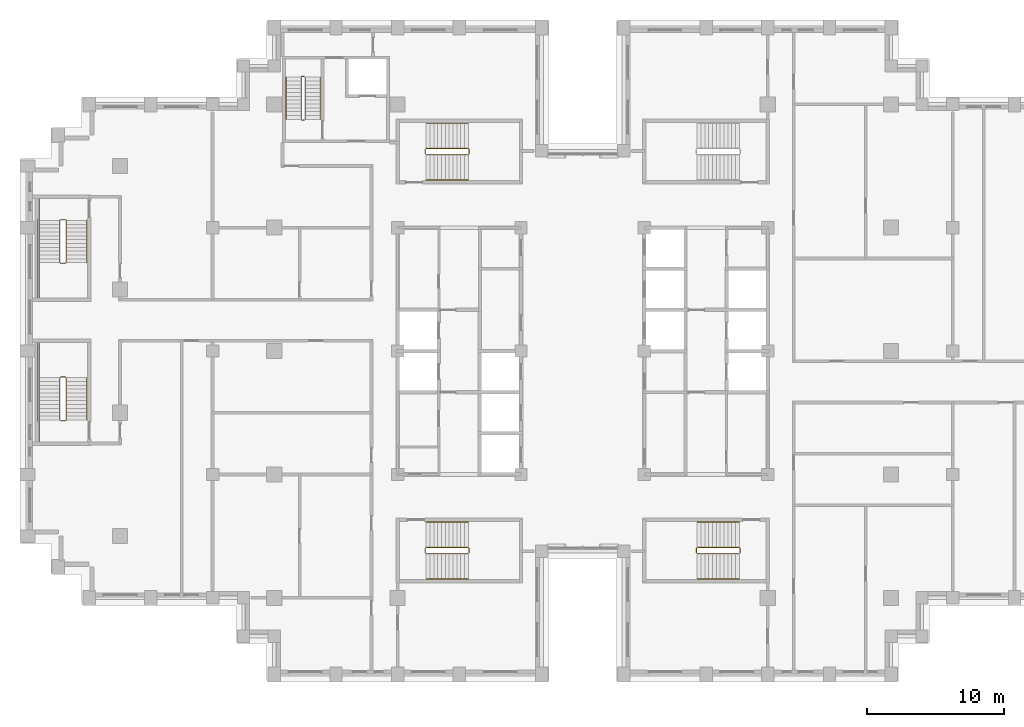
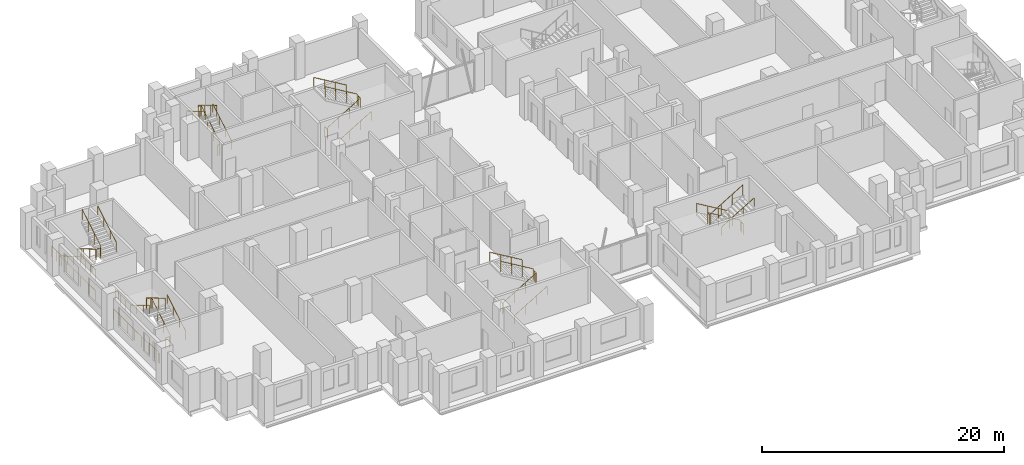
# One storey, part 15 of 16: 6 railings.
"""IFC4 building model written with IfcOpenShell, lengths in metres."""

from ifc_helpers import new_model, si_unit, direction, frame, origin, origin_2d, place, context, subcontext, project, spatial, circle, extrude, material, type_object, element, save


model = new_model("IFC4")

# Units and contexts
model_context = context("Model", 3, precision=1e-05, world=origin(), true_north=direction((0.0, 1.0)))
body_context = subcontext(model_context, "Body", "Model", "MODEL_VIEW")
ifc_project = project(units=[si_unit("LENGTHUNIT", "METRE"), si_unit("AREAUNIT", "SQUARE_METRE"), si_unit("VOLUMEUNIT", "CUBIC_METRE"), si_unit("PLANEANGLEUNIT", "RADIAN"), si_unit("MASSUNIT", "GRAM", prefix="KILO")], contexts=[model_context])

# Site, building, storey
site_placement = place(None, origin())
site = spatial("IfcSite", under=ifc_project, at=site_placement, CompositionType="ELEMENT")
building_placement = place(site_placement, origin())
building = spatial("IfcBuilding", under=site, at=building_placement, Name="Corbelhall Arena Tower", CompositionType="ELEMENT")
storey_placement = place(building_placement, frame((0.0, 0.0, 170.0)))
storey = spatial("IfcBuildingStorey", under=building, at=storey_placement, Name="L34", CompositionType="ELEMENT", Elevation=170.0)

# Railings
ifc_material = material(Name="Steel ASTM A500 Gr C", Category="steel")
railing_type = type_object("IfcRailingType", Name="IN-GD-1100", PredefinedType="GUARDRAIL", material=ifc_material)
railing_1_placement = place(storey_placement, frame((-11.425048828125, 14.324951171875, 0.166748046875)))
element("IfcRailing", 1, at=railing_1_placement, inside=storey, type_object=railing_type, Name="L34 ST1 stair guards and handrails", PredefinedType="GUARDRAIL", context=body_context, shape_type="SweptSolid", body=[
    extrude(circle(Radius=0.02392578125, at=origin_2d()), frame((0.0, 0.0, 1.076171875), z_axis=(0.859308565015, 0.0, 0.511457515432), x_axis=(0.0, 1.0, 0.0)), (0.0, 0.0, 1.0), 3.58447265625),
    extrude(circle(Radius=0.02392578125, at=origin_2d()), frame((3.130126953125, 0.050048828125, 2.9091796875), z_axis=(0.0, 1.0, 0.0), x_axis=(-1.0, 0.0, 0.0)), (0.0, 0.0, 1.0), 0.35009765625),
    extrude(circle(Radius=0.02392578125, at=origin_2d()), frame((3.080078125, 0.449951171875, 3.076171875), z_axis=(-0.859308565015, 0.0, 0.511457515432), x_axis=(0.0, -1.0, 0.0)), (0.0, 0.0, 1.0), 3.58447265625),
    extrude(circle(Radius=0.02392578125, at=origin_2d()), frame((-0.050048828125, 0.050048828125, 0.9091796875), z_axis=(0.0, 1.0, 0.0), x_axis=(-1.0, 0.0, 0.0)), (0.0, 0.0, 1.0), 0.35009765625),
    extrude(circle(Radius=0.02392578125, at=origin_2d()), frame((0.0, -1.849853515625, 0.8759765625), z_axis=(0.859308565015, 0.0, 0.511457515432), x_axis=(0.0, 1.0, 0.0)), (0.0, 0.0, 1.0), 3.58447265625),
    extrude(circle(Radius=0.02392578125, at=origin_2d()), frame((3.080078125, 2.300048828125, 2.8759765625), z_axis=(-0.859308565015, 0.0, 0.511457515432), x_axis=(0.0, -1.0, 0.0)), (0.0, 0.0, 1.0), 3.58447265625),
    extrude(circle(Radius=0.02099609375, at=origin_2d()), origin(), (0.0, 0.0, 1.0), 1.052001953125),
    extrude(circle(Radius=0.02099609375, at=origin_2d()), frame((1.026611328125, 0.0, 0.611083984375)), (0.0, 0.0, 1.0), 1.052001953125),
    extrude(circle(Radius=0.02099609375, at=origin_2d()), frame((2.053466796875, 0.0, 1.22216796875)), (0.0, 0.0, 1.0), 1.052001953125),
    extrude(circle(Radius=0.02099609375, at=origin_2d()), frame((3.080078125, 0.0, 1.833251953125)), (0.0, 0.0, 1.0), 1.052001953125),
    extrude(circle(Radius=0.02099609375, at=origin_2d()), frame((3.130126953125, 0.050048828125, 1.833251953125)), (0.0, 0.0, 1.0), 1.052001953125),
    extrude(circle(Radius=0.02099609375, at=origin_2d()), frame((3.130126953125, 0.400146484375, 1.833251953125)), (0.0, 0.0, 1.0), 1.052001953125),
    extrude(circle(Radius=0.02099609375, at=origin_2d()), frame((3.080078125, 0.449951171875, 2.0)), (0.0, 0.0, 1.0), 1.052001953125),
    extrude(circle(Radius=0.02099609375, at=origin_2d()), frame((2.053466796875, 0.449951171875, 2.611083984375)), (0.0, 0.0, 1.0), 1.052001953125),
    extrude(circle(Radius=0.02099609375, at=origin_2d()), frame((1.026611328125, 0.449951171875, 3.22216796875)), (0.0, 0.0, 1.0), 1.052001953125),
    extrude(circle(Radius=0.02099609375, at=origin_2d()), frame((0.0, 0.449951171875, 3.833251953125)), (0.0, 0.0, 1.0), 1.052001953125),
    extrude(circle(Radius=0.02099609375, at=origin_2d()), frame((-0.050048828125, 0.050048828125, -0.166748046875)), (0.0, 0.0, 1.0), 1.052001953125),
    extrude(circle(Radius=0.02099609375, at=origin_2d()), frame((-0.050048828125, 0.400146484375, -0.166748046875)), (0.0, 0.0, 1.0), 1.052001953125),
    extrude(circle(Radius=0.02099609375, at=origin_2d()), frame((0.0, -1.849853515625, 0.0)), (0.0, 0.0, 1.0), 0.851806640625),
    extrude(circle(Radius=0.02099609375, at=origin_2d()), frame((1.026611328125, -1.849853515625, 0.611083984375)), (0.0, 0.0, 1.0), 0.851806640625),
    extrude(circle(Radius=0.02099609375, at=origin_2d()), frame((2.053466796875, -1.849853515625, 1.22216796875)), (0.0, 0.0, 1.0), 0.851806640625),
    extrude(circle(Radius=0.02099609375, at=origin_2d()), frame((3.080078125, -1.849853515625, 1.833251953125)), (0.0, 0.0, 1.0), 0.851806640625),
    extrude(circle(Radius=0.02099609375, at=origin_2d()), frame((3.080078125, 2.300048828125, 2.0)), (0.0, 0.0, 1.0), 0.851806640625),
    extrude(circle(Radius=0.02099609375, at=origin_2d()), frame((2.053466796875, 2.300048828125, 2.611083984375)), (0.0, 0.0, 1.0), 0.851806640625),
    extrude(circle(Radius=0.02099609375, at=origin_2d()), frame((1.026611328125, 2.300048828125, 3.22216796875)), (0.0, 0.0, 1.0), 0.851806640625),
    extrude(circle(Radius=0.02099609375, at=origin_2d()), frame((0.0, 2.300048828125, 3.833251953125)), (0.0, 0.0, 1.0), 0.851806640625),
])
railing_2_placement = place(storey_placement, frame((-11.425048828125, -14.77490234375, 0.166748046875)))
element("IfcRailing", 2, at=railing_2_placement, inside=storey, type_object=railing_type, Name="L34 ST2 stair guards and handrails", PredefinedType="GUARDRAIL", context=body_context, shape_type="SweptSolid", body=[
    extrude(circle(Radius=0.02392578125, at=origin_2d()), frame((0.0, 0.0, 1.076171875), z_axis=(0.859308565015, 0.0, 0.511457515432), x_axis=(0.0, 1.0, 0.0)), (0.0, 0.0, 1.0), 3.58447265625),
    extrude(circle(Radius=0.02392578125, at=origin_2d()), frame((3.130126953125, 0.0498046875, 2.9091796875), z_axis=(0.0, 1.0, 0.0), x_axis=(-1.0, 0.0, 0.0)), (0.0, 0.0, 1.0), 0.35009765625),
    extrude(circle(Radius=0.02392578125, at=origin_2d()), frame((3.080078125, 0.449951171875, 3.076171875), z_axis=(-0.859308565015, 0.0, 0.511457515432), x_axis=(0.0, -1.0, 0.0)), (0.0, 0.0, 1.0), 3.58447265625),
    extrude(circle(Radius=0.02392578125, at=origin_2d()), frame((-0.050048828125, 0.0498046875, 0.9091796875), z_axis=(0.0, 1.0, 0.0), x_axis=(-1.0, 0.0, 0.0)), (0.0, 0.0, 1.0), 0.35009765625),
    extrude(circle(Radius=0.02392578125, at=origin_2d()), frame((0.0, -1.85009765625, 0.8759765625), z_axis=(0.859308565015, 0.0, 0.511457515432), x_axis=(0.0, 1.0, 0.0)), (0.0, 0.0, 1.0), 3.58447265625),
    extrude(circle(Radius=0.02392578125, at=origin_2d()), frame((3.080078125, 2.2998046875, 2.8759765625), z_axis=(-0.859308565015, 0.0, 0.511457515432), x_axis=(0.0, -1.0, 0.0)), (0.0, 0.0, 1.0), 3.58447265625),
    extrude(circle(Radius=0.02099609375, at=origin_2d()), origin(), (0.0, 0.0, 1.0), 1.052001953125),
    extrude(circle(Radius=0.02099609375, at=origin_2d()), frame((1.026611328125, 0.0, 0.611083984375)), (0.0, 0.0, 1.0), 1.052001953125),
    extrude(circle(Radius=0.02099609375, at=origin_2d()), frame((2.053466796875, 0.0, 1.22216796875)), (0.0, 0.0, 1.0), 1.052001953125),
    extrude(circle(Radius=0.02099609375, at=origin_2d()), frame((3.080078125, 0.0, 1.833251953125)), (0.0, 0.0, 1.0), 1.052001953125),
    extrude(circle(Radius=0.02099609375, at=origin_2d()), frame((3.130126953125, 0.0498046875, 1.833251953125)), (0.0, 0.0, 1.0), 1.052001953125),
    extrude(circle(Radius=0.02099609375, at=origin_2d()), frame((3.130126953125, 0.39990234375, 1.833251953125)), (0.0, 0.0, 1.0), 1.052001953125),
    extrude(circle(Radius=0.02099609375, at=origin_2d()), frame((3.080078125, 0.449951171875, 2.0)), (0.0, 0.0, 1.0), 1.052001953125),
    extrude(circle(Radius=0.02099609375, at=origin_2d()), frame((2.053466796875, 0.449951171875, 2.611083984375)), (0.0, 0.0, 1.0), 1.052001953125),
    extrude(circle(Radius=0.02099609375, at=origin_2d()), frame((1.026611328125, 0.449951171875, 3.22216796875)), (0.0, 0.0, 1.0), 1.052001953125),
    extrude(circle(Radius=0.02099609375, at=origin_2d()), frame((0.0, 0.449951171875, 3.833251953125)), (0.0, 0.0, 1.0), 1.052001953125),
    extrude(circle(Radius=0.02099609375, at=origin_2d()), frame((-0.050048828125, 0.0498046875, -0.166748046875)), (0.0, 0.0, 1.0), 1.052001953125),
    extrude(circle(Radius=0.02099609375, at=origin_2d()), frame((-0.050048828125, 0.39990234375, -0.166748046875)), (0.0, 0.0, 1.0), 1.052001953125),
    extrude(circle(Radius=0.02099609375, at=origin_2d()), frame((0.0, -1.85009765625, 0.0)), (0.0, 0.0, 1.0), 0.851806640625),
    extrude(circle(Radius=0.02099609375, at=origin_2d()), frame((1.026611328125, -1.85009765625, 0.611083984375)), (0.0, 0.0, 1.0), 0.851806640625),
    extrude(circle(Radius=0.02099609375, at=origin_2d()), frame((2.053466796875, -1.85009765625, 1.22216796875)), (0.0, 0.0, 1.0), 0.851806640625),
    extrude(circle(Radius=0.02099609375, at=origin_2d()), frame((3.080078125, -1.85009765625, 1.833251953125)), (0.0, 0.0, 1.0), 0.851806640625),
    extrude(circle(Radius=0.02099609375, at=origin_2d()), frame((3.080078125, 2.2998046875, 2.0)), (0.0, 0.0, 1.0), 0.851806640625),
    extrude(circle(Radius=0.02099609375, at=origin_2d()), frame((2.053466796875, 2.2998046875, 2.611083984375)), (0.0, 0.0, 1.0), 0.851806640625),
    extrude(circle(Radius=0.02099609375, at=origin_2d()), frame((1.026611328125, 2.2998046875, 3.22216796875)), (0.0, 0.0, 1.0), 0.851806640625),
    extrude(circle(Radius=0.02099609375, at=origin_2d()), frame((0.0, 2.2998046875, 3.833251953125)), (0.0, 0.0, 1.0), 0.851806640625),
])
railing_3_placement = place(storey_placement, frame((11.425048828125, -14.324951171875, 0.166748046875)))
element("IfcRailing", 3, at=railing_3_placement, inside=storey, type_object=railing_type, Name="L34 ST4 stair guards and handrails", PredefinedType="GUARDRAIL", context=body_context, shape_type="SweptSolid", body=[
    extrude(circle(Radius=0.02392578125, at=origin_2d()), frame((0.0, 0.0, 1.076171875), z_axis=(-0.859308565015, 0.0, 0.511457515432), x_axis=(0.0, -1.0, 0.0)), (0.0, 0.0, 1.0), 3.58447265625),
    extrude(circle(Radius=0.02392578125, at=origin_2d()), frame((-3.130126953125, -0.050048828125, 2.9091796875), z_axis=(0.0, -1.0, 0.0), x_axis=(1.0, 0.0, 0.0)), (0.0, 0.0, 1.0), 0.35009765625),
    extrude(circle(Radius=0.02392578125, at=origin_2d()), frame((-3.080078125, -0.449951171875, 3.076171875), z_axis=(0.859308565015, 0.0, 0.511457515432), x_axis=(0.0, 1.0, 0.0)), (0.0, 0.0, 1.0), 3.58447265625),
    extrude(circle(Radius=0.02392578125, at=origin_2d()), frame((0.050048828125, -0.050048828125, 0.9091796875), z_axis=(0.0, -1.0, 0.0), x_axis=(1.0, 0.0, 0.0)), (0.0, 0.0, 1.0), 0.35009765625),
    extrude(circle(Radius=0.02392578125, at=origin_2d()), frame((0.0, 1.849853515625, 0.8759765625), z_axis=(-0.859308565015, 0.0, 0.511457515432), x_axis=(0.0, -1.0, 0.0)), (0.0, 0.0, 1.0), 3.58447265625),
    extrude(circle(Radius=0.02392578125, at=origin_2d()), frame((-3.080078125, -2.300048828125, 2.8759765625), z_axis=(0.859308565015, 0.0, 0.511457515432), x_axis=(0.0, 1.0, 0.0)), (0.0, 0.0, 1.0), 3.58447265625),
    extrude(circle(Radius=0.02099609375, at=origin_2d()), origin(), (0.0, 0.0, 1.0), 1.052001953125),
    extrude(circle(Radius=0.02099609375, at=origin_2d()), frame((-1.026611328125, 0.0, 0.611083984375)), (0.0, 0.0, 1.0), 1.052001953125),
    extrude(circle(Radius=0.02099609375, at=origin_2d()), frame((-2.053466796875, 0.0, 1.22216796875)), (0.0, 0.0, 1.0), 1.052001953125),
    extrude(circle(Radius=0.02099609375, at=origin_2d()), frame((-3.080078125, 0.0, 1.833251953125)), (0.0, 0.0, 1.0), 1.052001953125),
    extrude(circle(Radius=0.02099609375, at=origin_2d()), frame((-3.130126953125, -0.050048828125, 1.833251953125)), (0.0, 0.0, 1.0), 1.052001953125),
    extrude(circle(Radius=0.02099609375, at=origin_2d()), frame((-3.130126953125, -0.400146484375, 1.833251953125)), (0.0, 0.0, 1.0), 1.052001953125),
    extrude(circle(Radius=0.02099609375, at=origin_2d()), frame((-3.080078125, -0.449951171875, 2.0)), (0.0, 0.0, 1.0), 1.052001953125),
    extrude(circle(Radius=0.02099609375, at=origin_2d()), frame((-2.053466796875, -0.449951171875, 2.611083984375)), (0.0, 0.0, 1.0), 1.052001953125),
    extrude(circle(Radius=0.02099609375, at=origin_2d()), frame((-1.026611328125, -0.449951171875, 3.22216796875)), (0.0, 0.0, 1.0), 1.052001953125),
    extrude(circle(Radius=0.02099609375, at=origin_2d()), frame((0.0, -0.449951171875, 3.833251953125)), (0.0, 0.0, 1.0), 1.052001953125),
    extrude(circle(Radius=0.02099609375, at=origin_2d()), frame((0.050048828125, -0.050048828125, -0.166748046875)), (0.0, 0.0, 1.0), 1.052001953125),
    extrude(circle(Radius=0.02099609375, at=origin_2d()), frame((0.050048828125, -0.400146484375, -0.166748046875)), (0.0, 0.0, 1.0), 1.052001953125),
    extrude(circle(Radius=0.02099609375, at=origin_2d()), frame((0.0, 1.849853515625, 0.0)), (0.0, 0.0, 1.0), 0.851806640625),
    extrude(circle(Radius=0.02099609375, at=origin_2d()), frame((-1.026611328125, 1.849853515625, 0.611083984375)), (0.0, 0.0, 1.0), 0.851806640625),
    extrude(circle(Radius=0.02099609375, at=origin_2d()), frame((-2.053466796875, 1.849853515625, 1.22216796875)), (0.0, 0.0, 1.0), 0.851806640625),
    extrude(circle(Radius=0.02099609375, at=origin_2d()), frame((-3.080078125, 1.849853515625, 1.833251953125)), (0.0, 0.0, 1.0), 0.851806640625),
    extrude(circle(Radius=0.02099609375, at=origin_2d()), frame((-3.080078125, -2.300048828125, 2.0)), (0.0, 0.0, 1.0), 0.851806640625),
    extrude(circle(Radius=0.02099609375, at=origin_2d()), frame((-2.053466796875, -2.300048828125, 2.611083984375)), (0.0, 0.0, 1.0), 0.851806640625),
    extrude(circle(Radius=0.02099609375, at=origin_2d()), frame((-1.026611328125, -2.300048828125, 3.22216796875)), (0.0, 0.0, 1.0), 0.851806640625),
    extrude(circle(Radius=0.02099609375, at=origin_2d()), frame((0.0, -2.300048828125, 3.833251953125)), (0.0, 0.0, 1.0), 0.851806640625),
])
railing_4_placement = place(storey_placement, frame((-38.14990234375, 9.52490234375, 0.166748046875)))
element("IfcRailing", 4, at=railing_4_placement, inside=storey, type_object=railing_type, Name="L34 SC1 stair guards and handrails", PredefinedType="GUARDRAIL", context=body_context, shape_type="SweptSolid", body=[
    extrude(circle(Radius=0.02392578125, at=origin_2d()), frame((0.0, 0.0, 1.076171875), z_axis=(0.0, -0.859290745958, 0.51148745235), x_axis=(1.0, 0.0, 0.0)), (0.0, 0.0, 1.0), 3.584228515625),
    extrude(circle(Radius=0.02392578125, at=origin_2d()), frame((0.0498046875, -3.1298828125, 2.9091796875), z_axis=(1.0, 0.0, 0.0), x_axis=(0.0, 1.0, 0.0)), (0.0, 0.0, 1.0), 0.375),
    extrude(circle(Radius=0.02392578125, at=origin_2d()), frame((-1.5, -3.079833984375, 2.9091796875), z_axis=(0.0, -1.0, 0.0), x_axis=(1.0, 0.0, 0.0)), (0.0, 0.0, 1.0), 2.570068359375),
    extrude(circle(Radius=0.02392578125, at=origin_2d()), frame((0.474853515625, -3.079833984375, 3.076171875), z_axis=(0.0, 0.859290745958, 0.51148745235), x_axis=(-1.0, 0.0, 0.0)), (0.0, 0.0, 1.0), 3.584228515625),
    extrude(circle(Radius=0.02392578125, at=origin_2d()), frame((0.0498046875, 0.050048828125, 0.9091796875), z_axis=(1.0, 0.0, 0.0), x_axis=(0.0, 1.0, 0.0)), (0.0, 0.0, 1.0), 0.375),
    extrude(circle(Radius=0.02392578125, at=origin_2d()), frame((-1.5, 1.60009765625, 0.9091796875), z_axis=(0.0, -1.0, 0.0), x_axis=(1.0, 0.0, 0.0)), (0.0, 0.0, 1.0), 1.60009765625),
    extrude(circle(Radius=0.02392578125, at=origin_2d()), frame((-1.60009765625, 0.10009765625, 0.9091796875), z_axis=(0.0, -1.0, 0.0), x_axis=(1.0, 0.0, 0.0)), (0.0, 0.0, 1.0), 5.85009765625),
    extrude(circle(Radius=0.02392578125, at=origin_2d()), frame((-1.5, 0.0, 0.8759765625), z_axis=(0.0, -0.859290745958, 0.51148745235), x_axis=(1.0, 0.0, 0.0)), (0.0, 0.0, 1.0), 3.584228515625),
    extrude(circle(Radius=0.02392578125, at=origin_2d()), frame((1.974853515625, -3.079833984375, 2.8759765625), z_axis=(0.0, 0.859290745958, 0.51148745235), x_axis=(-1.0, 0.0, 0.0)), (0.0, 0.0, 1.0), 3.584228515625),
    extrude(circle(Radius=0.02099609375, at=origin_2d()), origin(), (0.0, 0.0, 1.0), 1.052001953125),
    extrude(circle(Radius=0.02099609375, at=origin_2d()), frame((0.0, -1.026611328125, 0.611083984375)), (0.0, 0.0, 1.0), 1.052001953125),
    extrude(circle(Radius=0.02099609375, at=origin_2d()), frame((0.0, -2.05322265625, 1.22216796875)), (0.0, 0.0, 1.0), 1.052001953125),
    extrude(circle(Radius=0.02099609375, at=origin_2d()), frame((0.0, -3.079833984375, 1.833251953125)), (0.0, 0.0, 1.0), 1.052001953125),
    extrude(circle(Radius=0.02099609375, at=origin_2d()), frame((0.0498046875, -3.1298828125, 1.833251953125)), (0.0, 0.0, 1.0), 1.052001953125),
    extrude(circle(Radius=0.02099609375, at=origin_2d()), frame((0.4248046875, -3.1298828125, 1.833251953125)), (0.0, 0.0, 1.0), 1.052001953125),
    extrude(circle(Radius=0.02099609375, at=origin_2d()), frame((-1.5, -3.079833984375, 1.833251953125)), (0.0, 0.0, 1.0), 1.052001953125),
    extrude(circle(Radius=0.02099609375, at=origin_2d()), frame((-1.5, -3.9365234375, 1.833251953125)), (0.0, 0.0, 1.0), 1.052001953125),
    extrude(circle(Radius=0.02099609375, at=origin_2d()), frame((-1.5, -4.793212890625, 1.833251953125)), (0.0, 0.0, 1.0), 1.052001953125),
    extrude(circle(Radius=0.02099609375, at=origin_2d()), frame((-1.5, -5.64990234375, 1.833251953125)), (0.0, 0.0, 1.0), 1.052001953125),
    extrude(circle(Radius=0.02099609375, at=origin_2d()), frame((0.474853515625, -3.079833984375, 2.0)), (0.0, 0.0, 1.0), 1.052001953125),
    extrude(circle(Radius=0.02099609375, at=origin_2d()), frame((0.474853515625, -2.05322265625, 2.611083984375)), (0.0, 0.0, 1.0), 1.052001953125),
    extrude(circle(Radius=0.02099609375, at=origin_2d()), frame((0.474853515625, -1.026611328125, 3.22216796875)), (0.0, 0.0, 1.0), 1.052001953125),
    extrude(circle(Radius=0.02099609375, at=origin_2d()), frame((0.474853515625, 0.0, 3.833251953125)), (0.0, 0.0, 1.0), 1.052001953125),
    extrude(circle(Radius=0.02099609375, at=origin_2d()), frame((0.0498046875, 0.050048828125, -0.166748046875)), (0.0, 0.0, 1.0), 1.052001953125),
    extrude(circle(Radius=0.02099609375, at=origin_2d()), frame((0.4248046875, 0.050048828125, -0.166748046875)), (0.0, 0.0, 1.0), 1.052001953125),
    extrude(circle(Radius=0.02099609375, at=origin_2d()), frame((-1.5, 1.60009765625, -0.166748046875)), (0.0, 0.0, 1.0), 1.052001953125),
    extrude(circle(Radius=0.02099609375, at=origin_2d()), frame((-1.5, 0.800048828125, -0.166748046875)), (0.0, 0.0, 1.0), 1.052001953125),
    extrude(circle(Radius=0.02099609375, at=origin_2d()), frame((-1.5, 0.0, -0.166748046875)), (0.0, 0.0, 1.0), 1.052001953125),
    extrude(circle(Radius=0.02099609375, at=origin_2d()), frame((-1.60009765625, 0.10009765625, -0.166748046875)), (0.0, 0.0, 1.0), 1.052001953125),
    extrude(circle(Radius=0.02099609375, at=origin_2d()), frame((-1.60009765625, -1.06982421875, -0.166748046875)), (0.0, 0.0, 1.0), 1.052001953125),
    extrude(circle(Radius=0.02099609375, at=origin_2d()), frame((-1.60009765625, -2.239990234375, -0.166748046875)), (0.0, 0.0, 1.0), 1.052001953125),
    extrude(circle(Radius=0.02099609375, at=origin_2d()), frame((-1.60009765625, -3.409912109375, -0.166748046875)), (0.0, 0.0, 1.0), 1.052001953125),
    extrude(circle(Radius=0.02099609375, at=origin_2d()), frame((-1.60009765625, -4.580078125, -0.166748046875)), (0.0, 0.0, 1.0), 1.052001953125),
    extrude(circle(Radius=0.02099609375, at=origin_2d()), frame((-1.60009765625, -5.75, -0.166748046875)), (0.0, 0.0, 1.0), 1.052001953125),
    extrude(circle(Radius=0.02099609375, at=origin_2d()), frame((-1.5, 0.0, 0.0)), (0.0, 0.0, 1.0), 0.851806640625),
    extrude(circle(Radius=0.02099609375, at=origin_2d()), frame((-1.5, -1.026611328125, 0.611083984375)), (0.0, 0.0, 1.0), 0.851806640625),
    extrude(circle(Radius=0.02099609375, at=origin_2d()), frame((-1.5, -2.05322265625, 1.22216796875)), (0.0, 0.0, 1.0), 0.851806640625),
    extrude(circle(Radius=0.02099609375, at=origin_2d()), frame((1.974853515625, -3.079833984375, 2.0)), (0.0, 0.0, 1.0), 0.851806640625),
    extrude(circle(Radius=0.02099609375, at=origin_2d()), frame((1.974853515625, -2.05322265625, 2.611083984375)), (0.0, 0.0, 1.0), 0.851806640625),
    extrude(circle(Radius=0.02099609375, at=origin_2d()), frame((1.974853515625, -1.026611328125, 3.22216796875)), (0.0, 0.0, 1.0), 0.851806640625),
    extrude(circle(Radius=0.02099609375, at=origin_2d()), frame((1.974853515625, 0.0, 3.833251953125)), (0.0, 0.0, 1.0), 0.851806640625),
])
railing_5_placement = place(storey_placement, frame((-37.675048828125, -5.02490234375, 0.166748046875)))
element("IfcRailing", 5, at=railing_5_placement, inside=storey, type_object=railing_type, Name="L34 SC2 stair guards and handrails", PredefinedType="GUARDRAIL", context=body_context, shape_type="SweptSolid", body=[
    extrude(circle(Radius=0.02392578125, at=origin_2d()), frame((0.0, 0.0, 1.076171875), z_axis=(0.0, 0.859290745958, 0.51148745235), x_axis=(-1.0, 0.0, 0.0)), (0.0, 0.0, 1.0), 3.584228515625),
    extrude(circle(Radius=0.02392578125, at=origin_2d()), frame((-0.050048828125, 3.1298828125, 2.9091796875), z_axis=(-1.0, 0.0, 0.0), x_axis=(0.0, -1.0, 0.0)), (0.0, 0.0, 1.0), 0.375),
    extrude(circle(Radius=0.02392578125, at=origin_2d()), frame((-1.974853515625, 3.079833984375, 2.9091796875), z_axis=(0.0, 1.0, 0.0), x_axis=(-1.0, 0.0, 0.0)), (0.0, 0.0, 1.0), 2.570068359375),
    extrude(circle(Radius=0.02392578125, at=origin_2d()), frame((-0.474853515625, 3.079833984375, 3.076171875), z_axis=(0.0, -0.859290745958, 0.51148745235), x_axis=(1.0, 0.0, 0.0)), (0.0, 0.0, 1.0), 3.584228515625),
    extrude(circle(Radius=0.02392578125, at=origin_2d()), frame((-0.050048828125, -0.050048828125, 0.9091796875), z_axis=(-1.0, 0.0, 0.0), x_axis=(0.0, -1.0, 0.0)), (0.0, 0.0, 1.0), 0.375),
    extrude(circle(Radius=0.02392578125, at=origin_2d()), frame((-1.974853515625, -1.60009765625, 0.9091796875), z_axis=(0.0, 1.0, 0.0), x_axis=(-1.0, 0.0, 0.0)), (0.0, 0.0, 1.0), 1.60009765625),
    extrude(circle(Radius=0.02392578125, at=origin_2d()), frame((-2.074951171875, -0.10009765625, 0.9091796875), z_axis=(0.0, 1.0, 0.0), x_axis=(-1.0, 0.0, 0.0)), (0.0, 0.0, 1.0), 5.85009765625),
    extrude(circle(Radius=0.02392578125, at=origin_2d()), frame((1.5, 0.0, 0.8759765625), z_axis=(0.0, 0.859290745958, 0.51148745235), x_axis=(-1.0, 0.0, 0.0)), (0.0, 0.0, 1.0), 3.584228515625),
    extrude(circle(Radius=0.02392578125, at=origin_2d()), frame((-1.974853515625, 3.079833984375, 2.8759765625), z_axis=(0.0, -0.859290745958, 0.51148745235), x_axis=(1.0, 0.0, 0.0)), (0.0, 0.0, 1.0), 3.584228515625),
    extrude(circle(Radius=0.02099609375, at=origin_2d()), origin(), (0.0, 0.0, 1.0), 1.052001953125),
    extrude(circle(Radius=0.02099609375, at=origin_2d()), frame((0.0, 1.026611328125, 0.611083984375)), (0.0, 0.0, 1.0), 1.052001953125),
    extrude(circle(Radius=0.02099609375, at=origin_2d()), frame((0.0, 2.05322265625, 1.22216796875)), (0.0, 0.0, 1.0), 1.052001953125),
    extrude(circle(Radius=0.02099609375, at=origin_2d()), frame((0.0, 3.079833984375, 1.833251953125)), (0.0, 0.0, 1.0), 1.052001953125),
    extrude(circle(Radius=0.02099609375, at=origin_2d()), frame((-0.050048828125, 3.1298828125, 1.833251953125)), (0.0, 0.0, 1.0), 1.052001953125),
    extrude(circle(Radius=0.02099609375, at=origin_2d()), frame((-0.425048828125, 3.1298828125, 1.833251953125)), (0.0, 0.0, 1.0), 1.052001953125),
    extrude(circle(Radius=0.02099609375, at=origin_2d()), frame((-1.974853515625, 3.079833984375, 1.833251953125)), (0.0, 0.0, 1.0), 1.052001953125),
    extrude(circle(Radius=0.02099609375, at=origin_2d()), frame((-1.974853515625, 3.9365234375, 1.833251953125)), (0.0, 0.0, 1.0), 1.052001953125),
    extrude(circle(Radius=0.02099609375, at=origin_2d()), frame((-1.974853515625, 4.793212890625, 1.833251953125)), (0.0, 0.0, 1.0), 1.052001953125),
    extrude(circle(Radius=0.02099609375, at=origin_2d()), frame((-1.974853515625, 5.64990234375, 1.833251953125)), (0.0, 0.0, 1.0), 1.052001953125),
    extrude(circle(Radius=0.02099609375, at=origin_2d()), frame((-0.474853515625, 3.079833984375, 2.0)), (0.0, 0.0, 1.0), 1.052001953125),
    extrude(circle(Radius=0.02099609375, at=origin_2d()), frame((-0.474853515625, 2.05322265625, 2.611083984375)), (0.0, 0.0, 1.0), 1.052001953125),
    extrude(circle(Radius=0.02099609375, at=origin_2d()), frame((-0.474853515625, 1.026611328125, 3.22216796875)), (0.0, 0.0, 1.0), 1.052001953125),
    extrude(circle(Radius=0.02099609375, at=origin_2d()), frame((-0.474853515625, 0.0, 3.833251953125)), (0.0, 0.0, 1.0), 1.052001953125),
    extrude(circle(Radius=0.02099609375, at=origin_2d()), frame((-0.050048828125, -0.050048828125, -0.166748046875)), (0.0, 0.0, 1.0), 1.052001953125),
    extrude(circle(Radius=0.02099609375, at=origin_2d()), frame((-0.425048828125, -0.050048828125, -0.166748046875)), (0.0, 0.0, 1.0), 1.052001953125),
    extrude(circle(Radius=0.02099609375, at=origin_2d()), frame((-1.974853515625, -1.60009765625, -0.166748046875)), (0.0, 0.0, 1.0), 1.052001953125),
    extrude(circle(Radius=0.02099609375, at=origin_2d()), frame((-1.974853515625, -0.800048828125, -0.166748046875)), (0.0, 0.0, 1.0), 1.052001953125),
    extrude(circle(Radius=0.02099609375, at=origin_2d()), frame((-1.974853515625, 0.0, -0.166748046875)), (0.0, 0.0, 1.0), 1.052001953125),
    extrude(circle(Radius=0.02099609375, at=origin_2d()), frame((-2.074951171875, -0.10009765625, -0.166748046875)), (0.0, 0.0, 1.0), 1.052001953125),
    extrude(circle(Radius=0.02099609375, at=origin_2d()), frame((-2.074951171875, 1.06982421875, -0.166748046875)), (0.0, 0.0, 1.0), 1.052001953125),
    extrude(circle(Radius=0.02099609375, at=origin_2d()), frame((-2.074951171875, 2.239990234375, -0.166748046875)), (0.0, 0.0, 1.0), 1.052001953125),
    extrude(circle(Radius=0.02099609375, at=origin_2d()), frame((-2.074951171875, 3.409912109375, -0.166748046875)), (0.0, 0.0, 1.0), 1.052001953125),
    extrude(circle(Radius=0.02099609375, at=origin_2d()), frame((-2.074951171875, 4.580078125, -0.166748046875)), (0.0, 0.0, 1.0), 1.052001953125),
    extrude(circle(Radius=0.02099609375, at=origin_2d()), frame((-2.074951171875, 5.75, -0.166748046875)), (0.0, 0.0, 1.0), 1.052001953125),
    extrude(circle(Radius=0.02099609375, at=origin_2d()), frame((1.5, 0.0, 0.0)), (0.0, 0.0, 1.0), 0.851806640625),
    extrude(circle(Radius=0.02099609375, at=origin_2d()), frame((1.5, 1.026611328125, 0.611083984375)), (0.0, 0.0, 1.0), 0.851806640625),
    extrude(circle(Radius=0.02099609375, at=origin_2d()), frame((1.5, 2.05322265625, 1.22216796875)), (0.0, 0.0, 1.0), 0.851806640625),
    extrude(circle(Radius=0.02099609375, at=origin_2d()), frame((1.5, 3.079833984375, 1.833251953125)), (0.0, 0.0, 1.0), 0.851806640625),
    extrude(circle(Radius=0.02099609375, at=origin_2d()), frame((-1.974853515625, 3.079833984375, 2.0)), (0.0, 0.0, 1.0), 0.851806640625),
    extrude(circle(Radius=0.02099609375, at=origin_2d()), frame((-1.974853515625, 2.05322265625, 2.611083984375)), (0.0, 0.0, 1.0), 0.851806640625),
    extrude(circle(Radius=0.02099609375, at=origin_2d()), frame((-1.974853515625, 1.026611328125, 3.22216796875)), (0.0, 0.0, 1.0), 0.851806640625),
    extrude(circle(Radius=0.02099609375, at=origin_2d()), frame((-1.974853515625, 0.0, 3.833251953125)), (0.0, 0.0, 1.0), 0.851806640625),
])
railing_6_placement = place(storey_placement, frame((-20.2451171875, 16.89990234375, 0.166748046875)))
element("IfcRailing", 6, at=railing_6_placement, inside=storey, type_object=railing_type, Name="L34 ST5 stair guards and handrails", PredefinedType="GUARDRAIL", context=body_context, shape_type="SweptSolid", body=[
    extrude(circle(Radius=0.02392578125, at=origin_2d()), frame((0.0, 0.0, 1.076171875), z_axis=(0.0, 0.859308565015, 0.511457515432), x_axis=(-1.0, 0.0, 0.0)), (0.0, 0.0, 1.0), 3.58447265625),
    extrude(circle(Radius=0.02392578125, at=origin_2d()), frame((-0.0498046875, 3.130126953125, 2.9091796875), z_axis=(-1.0, 0.0, 0.0), x_axis=(0.0, -1.0, 0.0)), (0.0, 0.0, 1.0), 0.2001953125),
    extrude(circle(Radius=0.02392578125, at=origin_2d()), frame((-0.2998046875, 3.080078125, 3.076171875), z_axis=(0.0, -0.859308565015, 0.511457515432), x_axis=(1.0, 0.0, 0.0)), (0.0, 0.0, 1.0), 3.58447265625),
    extrude(circle(Radius=0.02392578125, at=origin_2d()), frame((-0.0498046875, -0.0498046875, 0.9091796875), z_axis=(-1.0, 0.0, 0.0), x_axis=(0.0, -1.0, 0.0)), (0.0, 0.0, 1.0), 0.2001953125),
    extrude(circle(Radius=0.02392578125, at=origin_2d()), frame((1.10009765625, 0.0, 0.8759765625), z_axis=(0.0, 0.859308565015, 0.511457515432), x_axis=(-1.0, 0.0, 0.0)), (0.0, 0.0, 1.0), 3.58447265625),
    extrude(circle(Radius=0.02392578125, at=origin_2d()), frame((-1.39990234375, 3.080078125, 2.8759765625), z_axis=(0.0, -0.859308565015, 0.511457515432), x_axis=(1.0, 0.0, 0.0)), (0.0, 0.0, 1.0), 3.58447265625),
    extrude(circle(Radius=0.02099609375, at=origin_2d()), origin(), (0.0, 0.0, 1.0), 1.052001953125),
    extrude(circle(Radius=0.02099609375, at=origin_2d()), frame((0.0, 1.026611328125, 0.611083984375)), (0.0, 0.0, 1.0), 1.052001953125),
    extrude(circle(Radius=0.02099609375, at=origin_2d()), frame((0.0, 2.053466796875, 1.22216796875)), (0.0, 0.0, 1.0), 1.052001953125),
    extrude(circle(Radius=0.02099609375, at=origin_2d()), frame((0.0, 3.080078125, 1.833251953125)), (0.0, 0.0, 1.0), 1.052001953125),
    extrude(circle(Radius=0.02099609375, at=origin_2d()), frame((-0.0498046875, 3.130126953125, 1.833251953125)), (0.0, 0.0, 1.0), 1.052001953125),
    extrude(circle(Radius=0.02099609375, at=origin_2d()), frame((-0.25, 3.130126953125, 1.833251953125)), (0.0, 0.0, 1.0), 1.052001953125),
    extrude(circle(Radius=0.02099609375, at=origin_2d()), frame((-0.2998046875, 3.080078125, 2.0)), (0.0, 0.0, 1.0), 1.052001953125),
    extrude(circle(Radius=0.02099609375, at=origin_2d()), frame((-0.2998046875, 2.053466796875, 2.611083984375)), (0.0, 0.0, 1.0), 1.052001953125),
    extrude(circle(Radius=0.02099609375, at=origin_2d()), frame((-0.2998046875, 1.026611328125, 3.22216796875)), (0.0, 0.0, 1.0), 1.052001953125),
    extrude(circle(Radius=0.02099609375, at=origin_2d()), frame((-0.2998046875, 0.0, 3.833251953125)), (0.0, 0.0, 1.0), 1.052001953125),
    extrude(circle(Radius=0.02099609375, at=origin_2d()), frame((-0.0498046875, -0.0498046875, -0.166748046875)), (0.0, 0.0, 1.0), 1.052001953125),
    extrude(circle(Radius=0.02099609375, at=origin_2d()), frame((-0.25, -0.0498046875, -0.166748046875)), (0.0, 0.0, 1.0), 1.052001953125),
    extrude(circle(Radius=0.02099609375, at=origin_2d()), frame((1.10009765625, 0.0, 0.0)), (0.0, 0.0, 1.0), 0.851806640625),
    extrude(circle(Radius=0.02099609375, at=origin_2d()), frame((1.10009765625, 1.026611328125, 0.611083984375)), (0.0, 0.0, 1.0), 0.851806640625),
    extrude(circle(Radius=0.02099609375, at=origin_2d()), frame((1.10009765625, 2.053466796875, 1.22216796875)), (0.0, 0.0, 1.0), 0.851806640625),
    extrude(circle(Radius=0.02099609375, at=origin_2d()), frame((1.10009765625, 3.080078125, 1.833251953125)), (0.0, 0.0, 1.0), 0.851806640625),
    extrude(circle(Radius=0.02099609375, at=origin_2d()), frame((-1.39990234375, 3.080078125, 2.0)), (0.0, 0.0, 1.0), 0.851806640625),
    extrude(circle(Radius=0.02099609375, at=origin_2d()), frame((-1.39990234375, 2.053466796875, 2.611083984375)), (0.0, 0.0, 1.0), 0.851806640625),
    extrude(circle(Radius=0.02099609375, at=origin_2d()), frame((-1.39990234375, 1.026611328125, 3.22216796875)), (0.0, 0.0, 1.0), 0.851806640625),
    extrude(circle(Radius=0.02099609375, at=origin_2d()), frame((-1.39990234375, 0.0, 3.833251953125)), (0.0, 0.0, 1.0), 0.851806640625),
])

save(model, "model.ifc")
